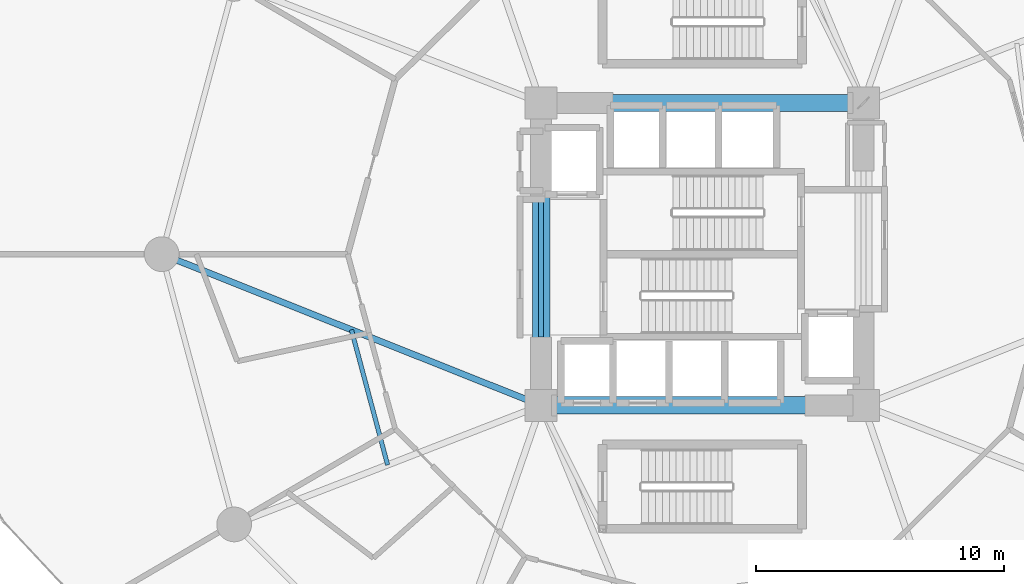
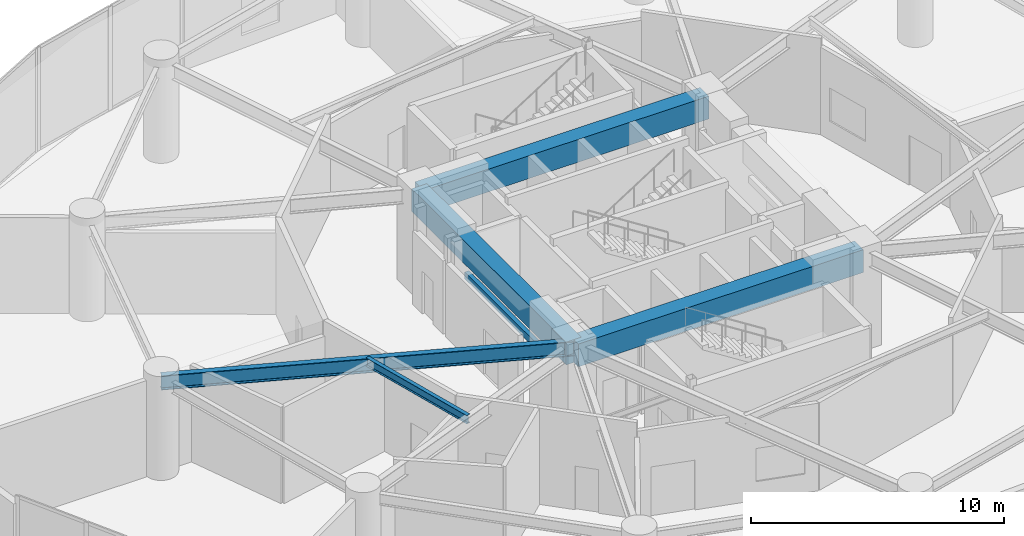
# One storey, part 9 of 31: 6 beams.
"""IFC4 building model written with IfcOpenShell, lengths in metres."""

from ifc_helpers import new_model, si_unit, direction, frame, origin, origin_2d, place, context, subcontext, project, spatial, rectangle, i_section, extrude, material, material_profile, profile_set, type_object, element, save


model = new_model("IFC4")

# Units and contexts
model_context = context("Model", 3, precision=1e-05, world=origin(), true_north=direction((0.0, 1.0)))
body_context = subcontext(model_context, "Body", "Model", "MODEL_VIEW")
ifc_project = project(units=[si_unit("LENGTHUNIT", "METRE"), si_unit("AREAUNIT", "SQUARE_METRE"), si_unit("VOLUMEUNIT", "CUBIC_METRE"), si_unit("PLANEANGLEUNIT", "RADIAN"), si_unit("MASSUNIT", "GRAM", prefix="KILO")], contexts=[model_context])

# Site, building, storey
site_placement = place(None, origin())
site = spatial("IfcSite", under=ifc_project, at=site_placement, CompositionType="ELEMENT")
building_placement = place(site_placement, origin())
building = spatial("IfcBuilding", under=site, at=building_placement, Name="Solvirekh Grand Hotel", CompositionType="ELEMENT")
storey_placement = place(building_placement, frame((0.0, 0.0, 18.60009765625)))
storey = spatial("IfcBuildingStorey", under=building, at=storey_placement, Name="L03", CompositionType="ELEMENT", Elevation=18.60009765625)

# Beams
ifc_material_1 = material(Name="Concrete C60/75", Category="concrete")
ifc_material_profile_1 = material_profile(ifc_material_1, rectangle(XDim=0.699951171875, YDim=1.10009765625, at=origin_2d()), Name="RC BEAM 700X1100")
ifc_profile_set_1 = profile_set([ifc_material_profile_1], Name="Concrete C60/75")
beam_type_1 = type_object("IfcBeamType", Name="Beam_Core_RC1100", PredefinedType="BEAM", material=ifc_profile_set_1)
for number, where, z_axis, x_axis, name in (
    (1, (-6.5, -6.10009765625, 4.08984375), (1.0, 0.0, 0.0), (0.0, 1.0, 0.0), "L03 core coupling ring beam 1"),
    (2, (6.5, 6.10009765625, 4.08984375), (-1.0, 0.0, 0.0), (0.0, -1.0, 0.0), "L03 core coupling ring beam 3"),
):
    element("IfcBeam", number, at=place(storey_placement, frame(where, z_axis=z_axis, x_axis=x_axis)), inside=storey, type_object=beam_type_1, Name=name, PredefinedType="BEAM", context=body_context, shape_type="SweptSolid", body=[
        extrude(rectangle(XDim=0.699951171875, YDim=1.10009765625, at=origin_2d()), origin(), (0.0, 0.0, 1.0), 13.0),
    ])
beam_1_placement = place(storey_placement, frame((-6.5, 6.10009765625, 4.08984375), z_axis=(0.0, -1.0, 0.0), x_axis=(1.0, 0.0, 0.0)))
element("IfcBeam", 3, at=beam_1_placement, inside=storey, type_object=beam_type_1, Name="L03 core coupling ring beam 4", PredefinedType="BEAM", context=body_context, shape_type="SweptSolid", body=[
    extrude(rectangle(XDim=0.699951171875, YDim=1.10009765625, at=origin_2d()), origin(), (0.0, 0.0, 1.0), 12.2001953125),
])
ifc_material_2 = material(Name="Steel S355", Category="steel")
ifc_material_profile_2 = material_profile(ifc_material_2, i_section(OverallWidth=0.2548828125, OverallDepth=0.695068359375, WebThickness=0.01611328125, FlangeThickness=0.028076171875, FilletRadius=0.01611328125, at=origin_2d()), Name="W690X217")
ifc_profile_set_2 = profile_set([ifc_material_profile_2], Name="Steel S355")
beam_type_2 = type_object("IfcBeamType", Name="Beam_Primary_W690", PredefinedType="BEAM", material=ifc_profile_set_2)
beam_2_placement = place(storey_placement, frame((-6.5, -6.10009765625, 4.2919921875), z_axis=(-0.9288931718, 0.370347776263, 0.0), x_axis=(-0.370347776263, -0.9288931718, 0.0)))
element("IfcBeam", 4, at=beam_2_placement, inside=storey, type_object=beam_type_2, Name="L03 radial floor beam R07", PredefinedType="BEAM", context=body_context, shape_type="SweptSolid", body=[
    extrude(i_section(OverallWidth=0.2548828125, OverallDepth=0.695068359375, WebThickness=0.01611328125, FlangeThickness=0.028076171875, FilletRadius=0.01611328125, at=origin_2d()), origin(), (0.0, 0.0, 1.0), 16.47119140625),
])
ifc_material_profile_3 = material_profile(ifc_material_2, i_section(OverallWidth=0.177978515625, OverallDepth=0.406982421875, WebThickness=0.008056640625, FlangeThickness=0.011962890625, FilletRadius=0.011962890625, at=origin_2d()), Name="W410X60")
ifc_profile_set_3 = profile_set([ifc_material_profile_3], Name="Steel S355")
beam_type_3 = type_object("IfcBeamType", Name="Joist_Floor_W410", PredefinedType="JOIST", material=ifc_profile_set_3)
beam_3_placement = place(storey_placement, frame((-14.14990234375, -3.050048828125, 4.43701171875), z_axis=(0.258761319114, -0.965941292072, 0.0), x_axis=(0.965941292072, 0.258761319114, 0.0)))
element("IfcBeam", 5, at=beam_3_placement, inside=storey, type_object=beam_type_3, Name="L03 secondary composite floor joist 7", PredefinedType="JOIST", context=body_context, shape_type="SweptSolid", body=[
    extrude(i_section(OverallWidth=0.177978515625, OverallDepth=0.406982421875, WebThickness=0.008056640625, FlangeThickness=0.011962890625, FilletRadius=0.011962890625, at=origin_2d()), origin(), (0.0, 0.0, 1.0), 5.64208984375),
])
ifc_material_3 = material(Name="Precast concrete C45/55", Category="concrete")
ifc_material_profile_4 = material_profile(ifc_material_3, rectangle(XDim=0.199951171875, YDim=0.320068359375, at=origin_2d()), Name="RC LINTEL 200X320")
ifc_profile_set_4 = profile_set([ifc_material_profile_4], Name="Precast concrete C45/55")
beam_type_4 = type_object("IfcBeamType", Name="Lintel_RC320", PredefinedType="LINTEL", material=ifc_profile_set_4)
beam_4_placement = place(storey_placement, frame((-6.5, -3.35009765625, 2.64990234375), z_axis=(0.0, 1.0, 0.0), x_axis=(-1.0, 0.0, 0.0)))
element("IfcBeam", 6, at=beam_4_placement, inside=storey, type_object=beam_type_4, Name="L03 west core lobby RC lintel", PredefinedType="LINTEL", context=body_context, shape_type="SweptSolid", body=[
    extrude(rectangle(XDim=0.199951171875, YDim=0.320068359375, at=origin_2d()), origin(), (0.0, 0.0, 1.0), 5.7001953125),
])

save(model, "model.ifc")
